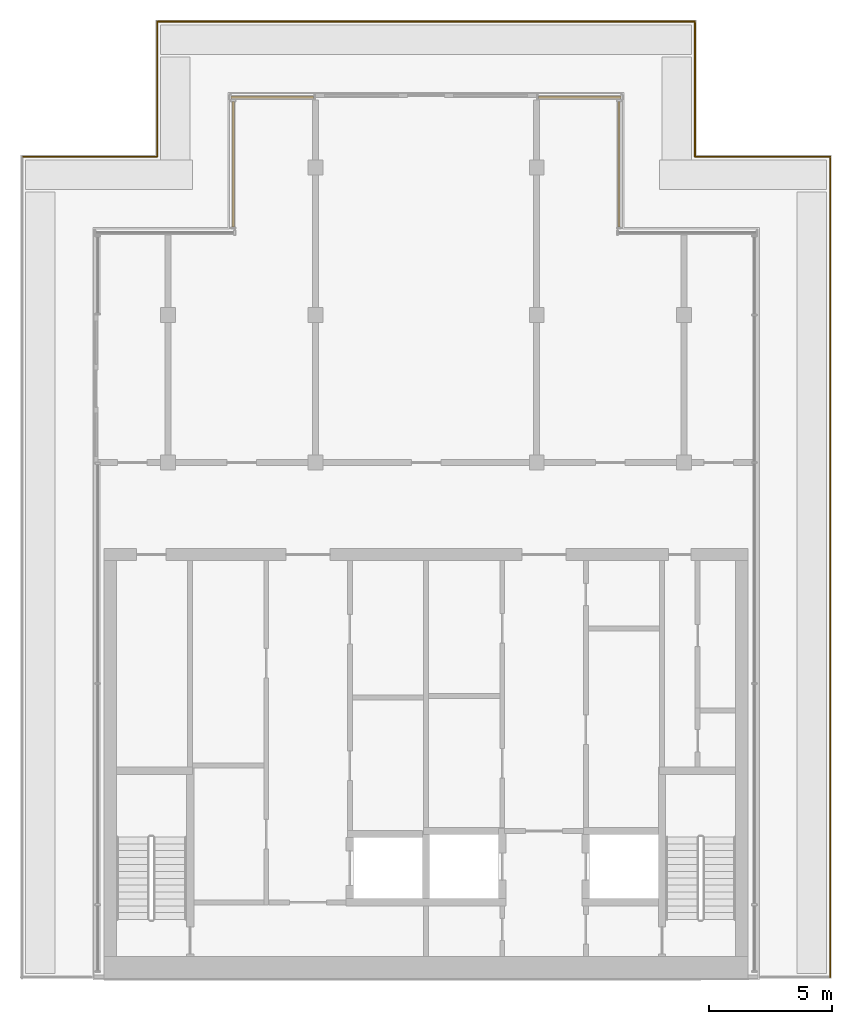
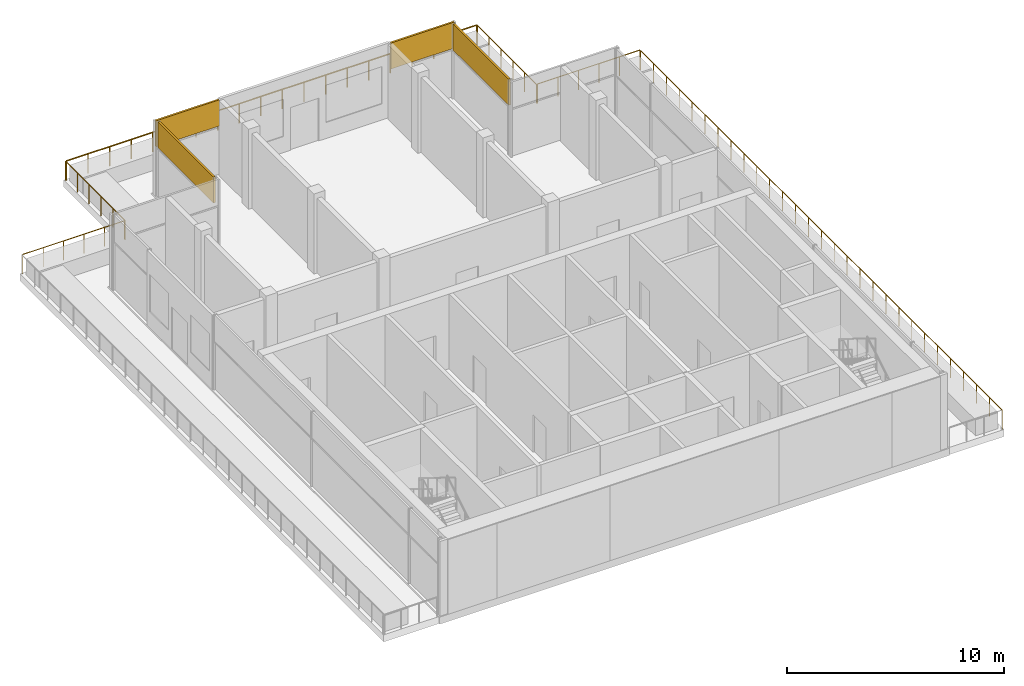
# One storey, part 6 of 6: 6 railings, 4 shading devices, 4 elements without a shape of their own.
"""IFC4 building model written with IfcOpenShell, lengths in metres."""

from ifc_helpers import new_model, si_unit, direction, frame, origin, origin_2d, place, context, subcontext, project, spatial, rectangle, circle, extrude, material, layer, layer_set, type_object, element, aggregate, save


model = new_model("IFC4")

# Units and contexts
model_context = context("Model", 3, precision=1e-05, world=origin(), true_north=direction((0.0, 1.0)))
body_context = subcontext(model_context, "Body", "Model", "MODEL_VIEW")
ifc_project = project(units=[si_unit("LENGTHUNIT", "METRE"), si_unit("AREAUNIT", "SQUARE_METRE"), si_unit("VOLUMEUNIT", "CUBIC_METRE"), si_unit("PLANEANGLEUNIT", "RADIAN"), si_unit("MASSUNIT", "GRAM", prefix="KILO")], contexts=[model_context])

# Site, building, storey
site_placement = place(None, origin())
site = spatial("IfcSite", under=ifc_project, at=site_placement, CompositionType="ELEMENT")
building_placement = place(site_placement, origin())
building = spatial("IfcBuilding", under=site, at=building_placement, Name="Finial Court Residences", CompositionType="ELEMENT")
storey_placement = place(building_placement, frame((0.0, 0.0, 312.199951171875)))
storey = spatial("IfcBuildingStorey", under=building, at=storey_placement, Name="L79", CompositionType="ELEMENT", Elevation=312.199951171875)

# Curtain wall, shading device
ifc_material = material(Name="Bronze anodised aluminium", Category="aluminium")
curtain_wall_type = type_object("IfcCurtainWallType", Name="Crown lantern glazing", PredefinedType="NOTDEFINED", material=ifc_material)
curtain_wall_1_placement = place(storey_placement, origin())
curtain_wall_1 = element("IfcCurtainWall", 1, at=curtain_wall_1_placement, inside=storey, type_object=curtain_wall_type, Name="E-L79-CW-N3", PredefinedType="NOTDEFINED")
ifc_layer = layer(ifc_material, 0.10009765625)
ifc_layer_set = layer_set([ifc_layer], Name="CW6 louvre panel 100")
shading_device_type = type_object("IfcShadingDeviceType", Name="CW6 louvre panel 100", PredefinedType="USERDEFINED", material=ifc_layer_set)
shading_device_1_placement = place(storey_placement, frame((-6.25, 10.35009765625, 2.73486328125), z_axis=(0.0, 0.0, 1.0), x_axis=(1.0, 0.0, 0.0)))
shading_device_1 = element("IfcShadingDevice", 2, at=shading_device_1_placement, type_object=shading_device_type, Name="CW6 louvre 1.2", ObjectType="LOUVRE", PredefinedType="USERDEFINED", context=body_context, shape_type="SweptSolid", body=[
    extrude(rectangle(XDim=3.360107421875, YDim=0.10009765625, at=origin_2d()), origin(), (0.0, 0.0, 1.0), 1.465087890625),
])
aggregate(curtain_wall_1, [shading_device_1])

curtain_wall_2_placement = place(storey_placement, origin())
curtain_wall_2 = element("IfcCurtainWall", 3, at=curtain_wall_2_placement, inside=storey, type_object=curtain_wall_type, Name="E-L79-CW-N4", PredefinedType="NOTDEFINED")
shading_device_2_placement = place(storey_placement, frame((6.25, 10.35009765625, 2.73486328125), z_axis=(0.0, 0.0, 1.0), x_axis=(1.0, 0.0, 0.0)))
shading_device_2 = element("IfcShadingDevice", 4, at=shading_device_2_placement, type_object=shading_device_type, Name="CW6 louvre 1.2", ObjectType="LOUVRE", PredefinedType="USERDEFINED", context=body_context, shape_type="SweptSolid", body=[
    extrude(rectangle(XDim=3.360107421875, YDim=0.10009765625, at=origin_2d()), origin(), (0.0, 0.0, 1.0), 1.465087890625),
])
aggregate(curtain_wall_2, [shading_device_2])

curtain_wall_3_placement = place(storey_placement, origin())
curtain_wall_3 = element("IfcCurtainWall", 5, at=curtain_wall_3_placement, inside=storey, type_object=curtain_wall_type, Name="E-L79-CW-W8n", PredefinedType="NOTDEFINED")
shading_device_3_placement = place(storey_placement, frame((-7.85009765625, 7.625, 2.73486328125), z_axis=(0.0, 0.0, 1.0), x_axis=(0.0, 1.0, 0.0)))
shading_device_3 = element("IfcShadingDevice", 6, at=shading_device_3_placement, type_object=shading_device_type, Name="CW6 louvre 1.2", ObjectType="LOUVRE", PredefinedType="USERDEFINED", context=body_context, shape_type="SweptSolid", body=[
    extrude(rectangle(XDim=5.110107421875, YDim=0.10009765625, at=origin_2d()), origin(), (0.0, 0.0, 1.0), 1.465087890625),
])
aggregate(curtain_wall_3, [shading_device_3])

curtain_wall_4_placement = place(storey_placement, origin())
curtain_wall_4 = element("IfcCurtainWall", 7, at=curtain_wall_4_placement, inside=storey, type_object=curtain_wall_type, Name="E-L79-CW-E10n", PredefinedType="NOTDEFINED")
shading_device_4_placement = place(storey_placement, frame((7.85009765625, 7.625, 2.73486328125), z_axis=(0.0, 0.0, 1.0), x_axis=(0.0, 1.0, 0.0)))
shading_device_4 = element("IfcShadingDevice", 8, at=shading_device_4_placement, type_object=shading_device_type, Name="CW6 louvre 1.2", ObjectType="LOUVRE", PredefinedType="USERDEFINED", context=body_context, shape_type="SweptSolid", body=[
    extrude(rectangle(XDim=5.110107421875, YDim=0.10009765625, at=origin_2d()), origin(), (0.0, 0.0, 1.0), 1.465087890625),
])
aggregate(curtain_wall_4, [shading_device_4])

# Railings
railing_type = type_object("IfcRailingType", Name="Terrace guard 1100", PredefinedType="GUARDRAIL", material=ifc_material)
railing_1_placement = place(storey_placement, frame((-16.389892578125, 7.93994140625, 0.0)))
element("IfcRailing", 9, at=railing_1_placement, inside=storey, type_object=railing_type, Name="E-L79-TER1-R1-2", PredefinedType="GUARDRAIL", context=body_context, shape_type="SweptSolid", body=[
    extrude(circle(Radius=0.02392578125, at=origin_2d()), frame((0.0, 0.0, 1.076171875), z_axis=(1.0, 0.0, 0.0), x_axis=(0.0, 1.0, 0.0)), (0.0, 0.0, 1.0), 5.449951171875),
    extrude(circle(Radius=0.02099609375, at=origin_2d()), origin(), (0.0, 0.0, 1.0), 1.052001953125),
    extrude(circle(Radius=0.02099609375, at=origin_2d()), frame((1.090087890625, 0.0, 0.0)), (0.0, 0.0, 1.0), 1.052001953125),
    extrude(circle(Radius=0.02099609375, at=origin_2d()), frame((2.179931640625, 0.0, 0.0)), (0.0, 0.0, 1.0), 1.052001953125),
    extrude(circle(Radius=0.02099609375, at=origin_2d()), frame((3.27001953125, 0.0, 0.0)), (0.0, 0.0, 1.0), 1.052001953125),
    extrude(circle(Radius=0.02099609375, at=origin_2d()), frame((4.35986328125, 0.0, 0.0)), (0.0, 0.0, 1.0), 1.052001953125),
    extrude(circle(Radius=0.02099609375, at=origin_2d()), frame((5.449951171875, 0.0, 0.0)), (0.0, 0.0, 1.0), 1.052001953125),
])
railing_2_placement = place(storey_placement, frame((-10.93994140625, 7.989990234375, 0.0)))
element("IfcRailing", 10, at=railing_2_placement, inside=storey, type_object=railing_type, Name="E-L79-TER1-R1-3", PredefinedType="GUARDRAIL", context=body_context, shape_type="SweptSolid", body=[
    extrude(circle(Radius=0.02392578125, at=origin_2d()), frame((0.0, 0.0, 1.076171875), z_axis=(0.0, 1.0, 0.0), x_axis=(-1.0, 0.0, 0.0)), (0.0, 0.0, 1.0), 5.449951171875),
    extrude(circle(Radius=0.02099609375, at=origin_2d()), origin(), (0.0, 0.0, 1.0), 1.052001953125),
    extrude(circle(Radius=0.02099609375, at=origin_2d()), frame((0.0, 1.090087890625, 0.0)), (0.0, 0.0, 1.0), 1.052001953125),
    extrude(circle(Radius=0.02099609375, at=origin_2d()), frame((0.0, 2.179931640625, 0.0)), (0.0, 0.0, 1.0), 1.052001953125),
    extrude(circle(Radius=0.02099609375, at=origin_2d()), frame((0.0, 3.27001953125, 0.0)), (0.0, 0.0, 1.0), 1.052001953125),
    extrude(circle(Radius=0.02099609375, at=origin_2d()), frame((0.0, 4.35986328125, 0.0)), (0.0, 0.0, 1.0), 1.052001953125),
    extrude(circle(Radius=0.02099609375, at=origin_2d()), frame((0.0, 5.449951171875, 0.0)), (0.0, 0.0, 1.0), 1.052001953125),
])
railing_3_placement = place(storey_placement, frame((-10.889892578125, 13.43994140625, 0.0)))
element("IfcRailing", 11, at=railing_3_placement, inside=storey, type_object=railing_type, Name="E-L79-TER1-R1-4", PredefinedType="GUARDRAIL", context=body_context, shape_type="SweptSolid", body=[
    extrude(circle(Radius=0.02392578125, at=origin_2d()), frame((0.0, 0.0, 1.076171875), z_axis=(1.0, 0.0, 0.0), x_axis=(0.0, 1.0, 0.0)), (0.0, 0.0, 1.0), 21.829833984375),
    extrude(circle(Radius=0.02099609375, at=origin_2d()), origin(), (0.0, 0.0, 1.0), 1.052001953125),
    extrude(circle(Radius=0.02099609375, at=origin_2d()), frame((1.14892578125, 0.0, 0.0)), (0.0, 0.0, 1.0), 1.052001953125),
    extrude(circle(Radius=0.02099609375, at=origin_2d()), frame((2.2978515625, 0.0, 0.0)), (0.0, 0.0, 1.0), 1.052001953125),
    extrude(circle(Radius=0.02099609375, at=origin_2d()), frame((3.44677734375, 0.0, 0.0)), (0.0, 0.0, 1.0), 1.052001953125),
    extrude(circle(Radius=0.02099609375, at=origin_2d()), frame((4.595703125, 0.0, 0.0)), (0.0, 0.0, 1.0), 1.052001953125),
    extrude(circle(Radius=0.02099609375, at=origin_2d()), frame((5.74462890625, 0.0, 0.0)), (0.0, 0.0, 1.0), 1.052001953125),
    extrude(circle(Radius=0.02099609375, at=origin_2d()), frame((6.8935546875, 0.0, 0.0)), (0.0, 0.0, 1.0), 1.052001953125),
    extrude(circle(Radius=0.02099609375, at=origin_2d()), frame((8.04248046875, 0.0, 0.0)), (0.0, 0.0, 1.0), 1.052001953125),
    extrude(circle(Radius=0.02099609375, at=origin_2d()), frame((9.19140625, 0.0, 0.0)), (0.0, 0.0, 1.0), 1.052001953125),
    extrude(circle(Radius=0.02099609375, at=origin_2d()), frame((10.34033203125, 0.0, 0.0)), (0.0, 0.0, 1.0), 1.052001953125),
    extrude(circle(Radius=0.02099609375, at=origin_2d()), frame((11.489501953125, 0.0, 0.0)), (0.0, 0.0, 1.0), 1.052001953125),
    extrude(circle(Radius=0.02099609375, at=origin_2d()), frame((12.638427734375, 0.0, 0.0)), (0.0, 0.0, 1.0), 1.052001953125),
    extrude(circle(Radius=0.02099609375, at=origin_2d()), frame((13.787353515625, 0.0, 0.0)), (0.0, 0.0, 1.0), 1.052001953125),
    extrude(circle(Radius=0.02099609375, at=origin_2d()), frame((14.936279296875, 0.0, 0.0)), (0.0, 0.0, 1.0), 1.052001953125),
    extrude(circle(Radius=0.02099609375, at=origin_2d()), frame((16.085205078125, 0.0, 0.0)), (0.0, 0.0, 1.0), 1.052001953125),
    extrude(circle(Radius=0.02099609375, at=origin_2d()), frame((17.234130859375, 0.0, 0.0)), (0.0, 0.0, 1.0), 1.052001953125),
    extrude(circle(Radius=0.02099609375, at=origin_2d()), frame((18.383056640625, 0.0, 0.0)), (0.0, 0.0, 1.0), 1.052001953125),
    extrude(circle(Radius=0.02099609375, at=origin_2d()), frame((19.531982421875, 0.0, 0.0)), (0.0, 0.0, 1.0), 1.052001953125),
    extrude(circle(Radius=0.02099609375, at=origin_2d()), frame((20.680908203125, 0.0, 0.0)), (0.0, 0.0, 1.0), 1.052001953125),
    extrude(circle(Radius=0.02099609375, at=origin_2d()), frame((21.829833984375, 0.0, 0.0)), (0.0, 0.0, 1.0), 1.052001953125),
])
railing_4_placement = place(storey_placement, frame((10.93994140625, 13.389892578125, 0.0)))
element("IfcRailing", 12, at=railing_4_placement, inside=storey, type_object=railing_type, Name="E-L79-TER1-R1-5", PredefinedType="GUARDRAIL", context=body_context, shape_type="SweptSolid", body=[
    extrude(circle(Radius=0.02392578125, at=origin_2d()), frame((0.0, 0.0, 1.076171875), z_axis=(0.0, -1.0, 0.0), x_axis=(1.0, 0.0, 0.0)), (0.0, 0.0, 1.0), 5.449951171875),
    extrude(circle(Radius=0.02099609375, at=origin_2d()), origin(), (0.0, 0.0, 1.0), 1.052001953125),
    extrude(circle(Radius=0.02099609375, at=origin_2d()), frame((0.0, -1.090087890625, 0.0)), (0.0, 0.0, 1.0), 1.052001953125),
    extrude(circle(Radius=0.02099609375, at=origin_2d()), frame((0.0, -2.179931640625, 0.0)), (0.0, 0.0, 1.0), 1.052001953125),
    extrude(circle(Radius=0.02099609375, at=origin_2d()), frame((0.0, -3.27001953125, 0.0)), (0.0, 0.0, 1.0), 1.052001953125),
    extrude(circle(Radius=0.02099609375, at=origin_2d()), frame((0.0, -4.35986328125, 0.0)), (0.0, 0.0, 1.0), 1.052001953125),
    extrude(circle(Radius=0.02099609375, at=origin_2d()), frame((0.0, -5.449951171875, 0.0)), (0.0, 0.0, 1.0), 1.052001953125),
])
railing_5_placement = place(storey_placement, frame((10.989990234375, 7.93994140625, 0.0)))
element("IfcRailing", 13, at=railing_5_placement, inside=storey, type_object=railing_type, Name="E-L79-TER1-R1-6", PredefinedType="GUARDRAIL", context=body_context, shape_type="SweptSolid", body=[
    extrude(circle(Radius=0.02392578125, at=origin_2d()), frame((0.0, 0.0, 1.076171875), z_axis=(1.0, 0.0, 0.0), x_axis=(0.0, 1.0, 0.0)), (0.0, 0.0, 1.0), 5.449951171875),
    extrude(circle(Radius=0.02099609375, at=origin_2d()), origin(), (0.0, 0.0, 1.0), 1.052001953125),
    extrude(circle(Radius=0.02099609375, at=origin_2d()), frame((1.090087890625, 0.0, 0.0)), (0.0, 0.0, 1.0), 1.052001953125),
    extrude(circle(Radius=0.02099609375, at=origin_2d()), frame((2.179931640625, 0.0, 0.0)), (0.0, 0.0, 1.0), 1.052001953125),
    extrude(circle(Radius=0.02099609375, at=origin_2d()), frame((3.27001953125, 0.0, 0.0)), (0.0, 0.0, 1.0), 1.052001953125),
    extrude(circle(Radius=0.02099609375, at=origin_2d()), frame((4.35986328125, 0.0, 0.0)), (0.0, 0.0, 1.0), 1.052001953125),
    extrude(circle(Radius=0.02099609375, at=origin_2d()), frame((5.449951171875, 0.0, 0.0)), (0.0, 0.0, 1.0), 1.052001953125),
])
railing_6_placement = place(storey_placement, frame((16.43994140625, 7.889892578125, 0.0)))
element("IfcRailing", 14, at=railing_6_placement, inside=storey, type_object=railing_type, Name="E-L79-TER1-R1-7", PredefinedType="GUARDRAIL", context=body_context, shape_type="SweptSolid", body=[
    extrude(circle(Radius=0.02392578125, at=origin_2d()), frame((0.0, 0.0, 1.076171875), z_axis=(0.0, -1.0, 0.0), x_axis=(1.0, 0.0, 0.0)), (0.0, 0.0, 1.0), 33.329833984375),
    extrude(circle(Radius=0.02099609375, at=origin_2d()), origin(), (0.0, 0.0, 1.0), 1.052001953125),
    extrude(circle(Radius=0.02099609375, at=origin_2d()), frame((0.0, -1.1904296875, 0.0)), (0.0, 0.0, 1.0), 1.052001953125),
    extrude(circle(Radius=0.02099609375, at=origin_2d()), frame((0.0, -2.380615234375, 0.0)), (0.0, 0.0, 1.0), 1.052001953125),
    extrude(circle(Radius=0.02099609375, at=origin_2d()), frame((0.0, -3.571044921875, 0.0)), (0.0, 0.0, 1.0), 1.052001953125),
    extrude(circle(Radius=0.02099609375, at=origin_2d()), frame((0.0, -4.761474609375, 0.0)), (0.0, 0.0, 1.0), 1.052001953125),
    extrude(circle(Radius=0.02099609375, at=origin_2d()), frame((0.0, -5.95166015625, 0.0)), (0.0, 0.0, 1.0), 1.052001953125),
    extrude(circle(Radius=0.02099609375, at=origin_2d()), frame((0.0, -7.14208984375, 0.0)), (0.0, 0.0, 1.0), 1.052001953125),
    extrude(circle(Radius=0.02099609375, at=origin_2d()), frame((0.0, -8.33251953125, 0.0)), (0.0, 0.0, 1.0), 1.052001953125),
    extrude(circle(Radius=0.02099609375, at=origin_2d()), frame((0.0, -9.522705078125, 0.0)), (0.0, 0.0, 1.0), 1.052001953125),
    extrude(circle(Radius=0.02099609375, at=origin_2d()), frame((0.0, -10.713134765625, 0.0)), (0.0, 0.0, 1.0), 1.052001953125),
    extrude(circle(Radius=0.02099609375, at=origin_2d()), frame((0.0, -11.903564453125, 0.0)), (0.0, 0.0, 1.0), 1.052001953125),
    extrude(circle(Radius=0.02099609375, at=origin_2d()), frame((0.0, -13.09375, 0.0)), (0.0, 0.0, 1.0), 1.052001953125),
    extrude(circle(Radius=0.02099609375, at=origin_2d()), frame((0.0, -14.2841796875, 0.0)), (0.0, 0.0, 1.0), 1.052001953125),
    extrude(circle(Radius=0.02099609375, at=origin_2d()), frame((0.0, -15.474609375, 0.0)), (0.0, 0.0, 1.0), 1.052001953125),
    extrude(circle(Radius=0.02099609375, at=origin_2d()), frame((0.0, -16.6650390625, 0.0)), (0.0, 0.0, 1.0), 1.052001953125),
    extrude(circle(Radius=0.02099609375, at=origin_2d()), frame((0.0, -17.855224609375, 0.0)), (0.0, 0.0, 1.0), 1.052001953125),
    extrude(circle(Radius=0.02099609375, at=origin_2d()), frame((0.0, -19.045654296875, 0.0)), (0.0, 0.0, 1.0), 1.052001953125),
    extrude(circle(Radius=0.02099609375, at=origin_2d()), frame((0.0, -20.236083984375, 0.0)), (0.0, 0.0, 1.0), 1.052001953125),
    extrude(circle(Radius=0.02099609375, at=origin_2d()), frame((0.0, -21.42626953125, 0.0)), (0.0, 0.0, 1.0), 1.052001953125),
    extrude(circle(Radius=0.02099609375, at=origin_2d()), frame((0.0, -22.61669921875, 0.0)), (0.0, 0.0, 1.0), 1.052001953125),
    extrude(circle(Radius=0.02099609375, at=origin_2d()), frame((0.0, -23.80712890625, 0.0)), (0.0, 0.0, 1.0), 1.052001953125),
    extrude(circle(Radius=0.02099609375, at=origin_2d()), frame((0.0, -24.997314453125, 0.0)), (0.0, 0.0, 1.0), 1.052001953125),
    extrude(circle(Radius=0.02099609375, at=origin_2d()), frame((0.0, -26.187744140625, 0.0)), (0.0, 0.0, 1.0), 1.052001953125),
    extrude(circle(Radius=0.02099609375, at=origin_2d()), frame((0.0, -27.378173828125, 0.0)), (0.0, 0.0, 1.0), 1.052001953125),
    extrude(circle(Radius=0.02099609375, at=origin_2d()), frame((0.0, -28.568359375, 0.0)), (0.0, 0.0, 1.0), 1.052001953125),
    extrude(circle(Radius=0.02099609375, at=origin_2d()), frame((0.0, -29.7587890625, 0.0)), (0.0, 0.0, 1.0), 1.052001953125),
    extrude(circle(Radius=0.02099609375, at=origin_2d()), frame((0.0, -30.94921875, 0.0)), (0.0, 0.0, 1.0), 1.052001953125),
    extrude(circle(Radius=0.02099609375, at=origin_2d()), frame((0.0, -32.139404296875, 0.0)), (0.0, 0.0, 1.0), 1.052001953125),
    extrude(circle(Radius=0.02099609375, at=origin_2d()), frame((0.0, -33.329833984375, 0.0)), (0.0, 0.0, 1.0), 1.052001953125),
])

save(model, "model.ifc")
